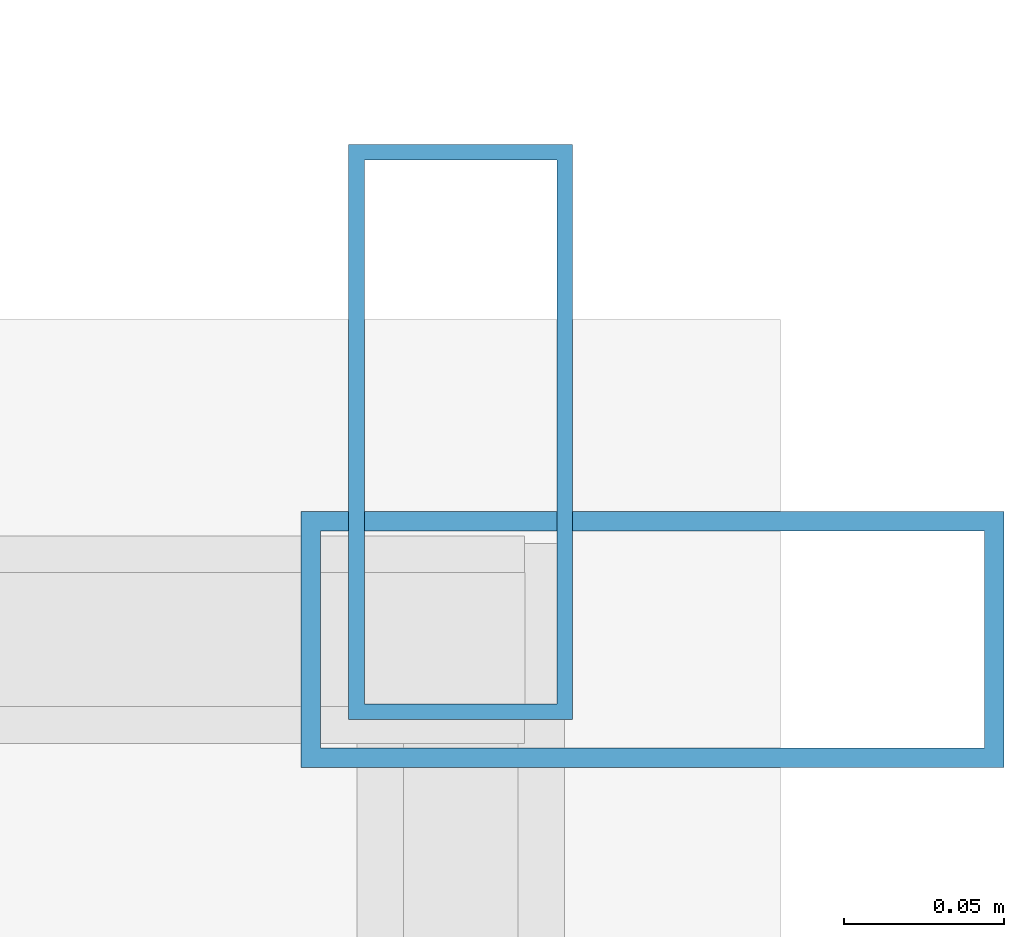
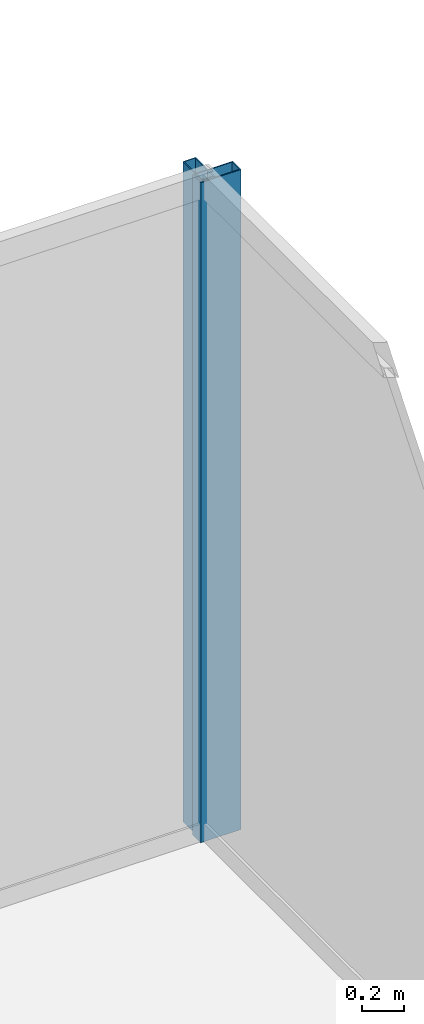
# One storey, part 26 of 36: 2 members, 2 elements without a shape of their own.
"""IFC4 building model written with IfcOpenShell, lengths in metres."""

from ifc_helpers import new_model, si_unit, direction, frame, origin, origin_2d, place, context, subcontext, project, spatial, hollow_rectangle, extrude, source, transform, mapped, material, layer, layer_set, material_profile, profile_set, type_object, type_shapes, element, aggregate, save


model = new_model("IFC4")

# Units and contexts
model_context = context("Model", 3, precision=1e-05, world=origin(), true_north=direction((0.0, 1.0)))
body_context = subcontext(model_context, "Body", "Model", "MODEL_VIEW")
ifc_project = project(units=[si_unit("LENGTHUNIT", "METRE"), si_unit("AREAUNIT", "SQUARE_METRE"), si_unit("VOLUMEUNIT", "CUBIC_METRE"), si_unit("PLANEANGLEUNIT", "RADIAN"), si_unit("MASSUNIT", "GRAM", prefix="KILO")], contexts=[model_context])

# Site, building, storey
site_placement = place(None, origin())
site = spatial("IfcSite", under=ifc_project, at=site_placement, CompositionType="ELEMENT")
building_placement = place(site_placement, origin())
building = spatial("IfcBuilding", under=site, at=building_placement, Name="Haelvirn Gate Laboratories", CompositionType="ELEMENT")
storey_placement = place(building_placement, frame((0.0, 0.0, 242.39990234375)))
storey = spatial("IfcBuildingStorey", under=building, at=storey_placement, Name="L58", CompositionType="ELEMENT", Elevation=242.39990234375)

# Curtain wall, member
ifc_material_1 = material(Name="Anodised bronze unitised aluminium & triple low-E glass", Category="aluminium")
ifc_layer_1 = layer(ifc_material_1, 0.176025390625, Name="CW-SYS-4")
ifc_layer_set_1 = layer_set([ifc_layer_1], Name="Anodised bronze unitised aluminium & triple low-E glass")
curtain_wall_type_1 = type_object("IfcCurtainWallType", Name="CW-SYS-4", PredefinedType="NOTDEFINED", material=ifc_layer_set_1)
curtain_wall_1_placement = place(storey_placement, origin())
curtain_wall_1 = element("IfcCurtainWall", 1, at=curtain_wall_1_placement, inside=storey, type_object=curtain_wall_type_1, Name="L58 Unitised Curtain Wall CW-L58-P0-E07", PredefinedType="NOTDEFINED")
ifc_material_2 = material(Name="Extruded aluminium 6063-T6 (anodised bronze)", Category="aluminium")
ifc_material_profile_1 = material_profile(ifc_material_2, hollow_rectangle(XDim=0.070068359375, YDim=0.179931640625, WallThickness=0.0048828125, at=origin_2d()), Name="CWM-180x70x5")
ifc_profile_set_1 = profile_set([ifc_material_profile_1], Name="Extruded aluminium 6063-T6 (anodised bronze)")
member_type_1 = type_object("IfcMemberType", Name="CWM-T180", PredefinedType="MULLION", material=ifc_profile_set_1)
shared_shape_1 = source(origin(), body_context, "Body", "SweptSolid", [
    extrude(hollow_rectangle(XDim=0.070068359375, YDim=0.179931640625, WallThickness=0.0048828125, at=origin_2d()), origin(), (0.0, 0.0, 1.0), 3.800048828125),
])
type_shapes(member_type_1, [shared_shape_1])
member_1_placement = place(storey_placement, frame((70.699951171875, 42.764892578125, 0.0), z_axis=(0.0, 0.0, 1.0), x_axis=(-1.0, 0.0, 0.0)))
member_1 = element("IfcMember", 2, at=member_1_placement, type_object=member_type_1, Name="CW4 mullion 3", PredefinedType="MULLION", context=body_context, shape_type="MappedRepresentation", body=[
    mapped(shared_shape_1, transform((0.0, 0.0, 0.0), scale=1.0)),
])
aggregate(curtain_wall_1, [member_1])

ifc_layer_2 = layer(ifc_material_1, 0.181884765625, Name="CW-SYS-5")
ifc_layer_set_2 = layer_set([ifc_layer_2], Name="Anodised bronze unitised aluminium & triple low-E glass")
curtain_wall_type_2 = type_object("IfcCurtainWallType", Name="CW-SYS-5", PredefinedType="NOTDEFINED", material=ifc_layer_set_2)
curtain_wall_2_placement = place(storey_placement, origin())
curtain_wall_2 = element("IfcCurtainWall", 3, at=curtain_wall_2_placement, inside=storey, type_object=curtain_wall_type_2, Name="L58 Unitised Curtain Wall CW-L58-P0-E08-1", PredefinedType="NOTDEFINED")
ifc_material_profile_2 = material_profile(ifc_material_2, hollow_rectangle(XDim=0.080078125, YDim=0.219970703125, WallThickness=0.006103515625, at=origin_2d()), Name="CWM-220x80x6")
ifc_profile_set_2 = profile_set([ifc_material_profile_2], Name="Extruded aluminium 6063-T6 (anodised bronze)")
member_type_2 = type_object("IfcMemberType", Name="CWM-T220", PredefinedType="MULLION", material=ifc_profile_set_2)
shared_shape_2 = source(origin(), body_context, "Body", "SweptSolid", [
    extrude(hollow_rectangle(XDim=0.080078125, YDim=0.219970703125, WallThickness=0.006103515625, at=origin_2d()), origin(), (0.0, 0.0, 1.0), 3.800048828125),
])
type_shapes(member_type_2, [shared_shape_2])
member_2_placement = place(storey_placement, frame((70.760009765625, 42.699951171875, 0.0), z_axis=(0.0, 0.0, 1.0), x_axis=(0.0, 1.0, 0.0)))
member_2 = element("IfcMember", 4, at=member_2_placement, type_object=member_type_2, Name="CW5 mullion 2", PredefinedType="MULLION", context=body_context, shape_type="MappedRepresentation", body=[
    mapped(shared_shape_2, transform((0.0, 0.0, 0.0), scale=1.0)),
])
aggregate(curtain_wall_2, [member_2])

save(model, "model.ifc")
